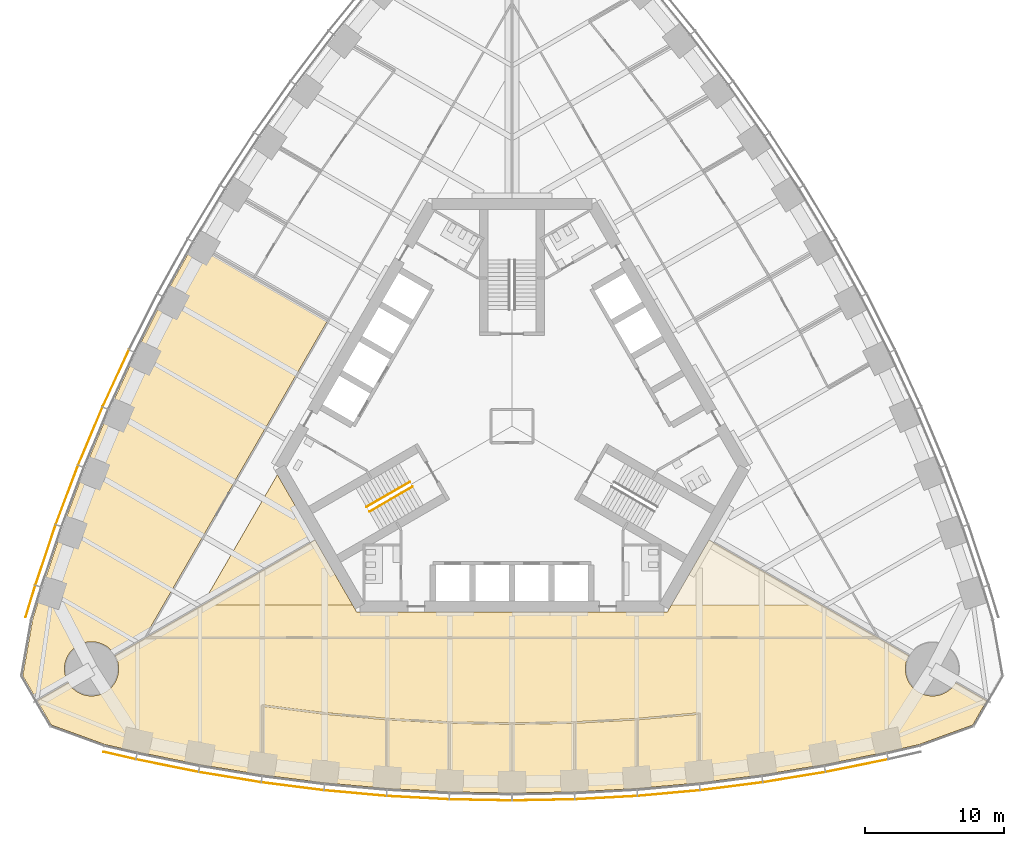
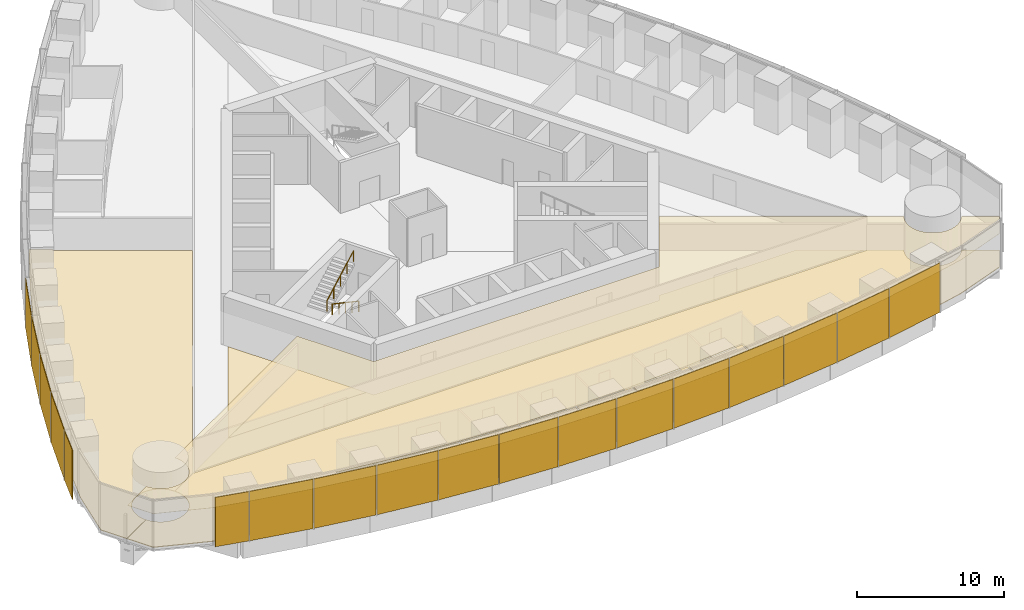
# One storey, part 15 of 19: 18 shading devices, 12 coverings, 2 railings.
"""IFC4 building model written with IfcOpenShell, lengths in metres."""

from ifc_helpers import new_model, si_unit, direction, frame, origin, origin_2d, place, context, subcontext, project, spatial, polyline, rectangle, circle, outline, extrude, material, layer, layer_set, type_object, element, save


model = new_model("IFC4")

# Units and contexts
model_context = context("Model", 3, precision=1e-05, world=origin(), true_north=direction((0.0, 1.0)))
body_context = subcontext(model_context, "Body", "Model", "MODEL_VIEW")
ifc_project = project(units=[si_unit("LENGTHUNIT", "METRE"), si_unit("AREAUNIT", "SQUARE_METRE"), si_unit("VOLUMEUNIT", "CUBIC_METRE"), si_unit("PLANEANGLEUNIT", "RADIAN"), si_unit("MASSUNIT", "GRAM", prefix="KILO")], contexts=[model_context])

# Site, building, storey
site_placement = place(None, origin())
site = spatial("IfcSite", under=ifc_project, at=site_placement, CompositionType="ELEMENT")
building_placement = place(site_placement, origin())
building = spatial("IfcBuilding", under=site, at=building_placement, Name="Trefoil Bronze Tower", CompositionType="ELEMENT")
storey_placement = place(building_placement, frame((0.0, 0.0, 166.10009765625)))
storey = spatial("IfcBuildingStorey", under=building, at=storey_placement, Name="L38", CompositionType="ELEMENT", Elevation=166.10009765625)

# Shading devices
ifc_material_1 = material(Name="Perforated bronze sheet", Category="bronze")
ifc_layer_1 = layer(ifc_material_1, 0.0400390625)
ifc_layer_set_1 = layer_set([ifc_layer_1], Name="Bronze solar screen panel")
shading_device_type = type_object("IfcShadingDeviceType", Name="Bronze solar screen panel", PredefinedType="SHUTTER", material=ifc_layer_set_1)
shading_device_1_placement = place(storey_placement, frame((-28.30078125, -23.748779296875, 0.0498046875), z_axis=(0.0, 0.0, 1.0), x_axis=(0.97420444715, -0.225667222151, 0.0)))
element("IfcShadingDevice", 1, at=shading_device_1_placement, inside=storey, type_object=shading_device_type, Name="Solar screen CW-A L38 F1 bay 1", PredefinedType="SHUTTER", context=body_context, shape_type="SweptSolid", body=[
    extrude(rectangle(XDim=2.39013671875, YDim=0.0400390625, at=origin_2d()), origin(), (0.0, 0.0, 1.0), 4.10009765625),
])
shading_device_2_placement = place(storey_placement, frame((-24.85693359375, -24.480224609375, 0.0498046875), z_axis=(0.0, 0.0, 1.0), x_axis=(0.980155155547, -0.198231861853, 0.0)))
element("IfcShadingDevice", 2, at=shading_device_2_placement, inside=storey, type_object=shading_device_type, Name="Solar screen CW-A L38 F1 bay 2", PredefinedType="SHUTTER", context=body_context, shape_type="SweptSolid", body=[
    extrude(rectangle(XDim=4.56103515625, YDim=0.0400390625, at=origin_2d()), origin(), (0.0, 0.0, 1.0), 4.10009765625),
])
shading_device_3_placement = place(storey_placement, frame((-20.337646484375, -25.30859375, 0.0498046875), z_axis=(0.0, 0.0, 1.0), x_axis=(0.986759655731, -0.162189339418, 0.0)))
element("IfcShadingDevice", 3, at=shading_device_3_placement, inside=storey, type_object=shading_device_type, Name="Solar screen CW-A L38 F1 bay 3", PredefinedType="SHUTTER", context=body_context, shape_type="SweptSolid", body=[
    extrude(rectangle(XDim=4.5302734375, YDim=0.0400390625, at=origin_2d()), origin(), (0.0, 0.0, 1.0), 4.10009765625),
])
shading_device_4_placement = place(storey_placement, frame((-15.818115234375, -25.96728515625, 0.0498046875), z_axis=(0.0, 0.0, 1.0), x_axis=(0.992011554286, -0.126147041833, 0.0)))
element("IfcShadingDevice", 4, at=shading_device_4_placement, inside=storey, type_object=shading_device_type, Name="Solar screen CW-A L38 F1 bay 4", PredefinedType="SHUTTER", context=body_context, shape_type="SweptSolid", body=[
    extrude(rectangle(XDim=4.50634765625, YDim=0.0400390625, at=origin_2d()), origin(), (0.0, 0.0, 1.0), 4.10009765625),
])
shading_device_5_placement = place(storey_placement, frame((-11.298583984375, -26.459228515625, 0.0498046875), z_axis=(0.0, 0.0, 1.0), x_axis=(0.995932279146, -0.090104913044, 0.0)))
element("IfcShadingDevice", 5, at=shading_device_5_placement, inside=storey, type_object=shading_device_type, Name="Solar screen CW-A L38 F1 bay 5", PredefinedType="SHUTTER", context=body_context, shape_type="SweptSolid", body=[
    extrude(rectangle(XDim=4.48828125, YDim=0.0400390625, at=origin_2d()), origin(), (0.0, 0.0, 1.0), 4.10009765625),
])
shading_device_6_placement = place(storey_placement, frame((-6.779296875, -26.785888671875, 0.0498046875), z_axis=(0.0, 0.0, 1.0), x_axis=(0.998537531923, -0.054062901701, 0.0)))
element("IfcShadingDevice", 6, at=shading_device_6_placement, inside=storey, type_object=shading_device_type, Name="Solar screen CW-A L38 F1 bay 6", PredefinedType="SHUTTER", context=body_context, shape_type="SweptSolid", body=[
    extrude(rectangle(XDim=4.4765625, YDim=0.0400390625, at=origin_2d()), origin(), (0.0, 0.0, 1.0), 4.10009765625),
])
for number, where, z_axis, x_axis, name in (
    (7, (-2.259765625, -26.948974609375, 0.0498046875), (0.0, 0.0, 1.0), (0.999837609322, -0.018020959612, 0.0), "Solar screen CW-A L38 F1 bay 7"),
    (8, (2.259765625, -26.948974609375, 0.0498046875), (0.0, 0.0, 1.0), (0.999837609322, 0.018020959612, 0.0), "Solar screen CW-A L38 F1 bay 8"),
):
    element("IfcShadingDevice", number, at=place(storey_placement, frame(where, z_axis=z_axis, x_axis=x_axis)), inside=storey, type_object=shading_device_type, Name=name, PredefinedType="SHUTTER", context=body_context, shape_type="SweptSolid", body=[
        extrude(rectangle(XDim=4.470703125, YDim=0.0400390625, at=origin_2d()), origin(), (0.0, 0.0, 1.0), 4.10009765625),
    ])
shading_device_7_placement = place(storey_placement, frame((6.779296875, -26.785888671875, 0.0498046875), z_axis=(0.0, 0.0, 1.0), x_axis=(0.998537531923, 0.054062901701, 0.0)))
element("IfcShadingDevice", 9, at=shading_device_7_placement, inside=storey, type_object=shading_device_type, Name="Solar screen CW-A L38 F1 bay 9", PredefinedType="SHUTTER", context=body_context, shape_type="SweptSolid", body=[
    extrude(rectangle(XDim=4.4765625, YDim=0.0400390625, at=origin_2d()), origin(), (0.0, 0.0, 1.0), 4.10009765625),
])
shading_device_8_placement = place(storey_placement, frame((11.298583984375, -26.459228515625, 0.0498046875), z_axis=(0.0, 0.0, 1.0), x_axis=(0.995932279146, 0.090104913044, 0.0)))
element("IfcShadingDevice", 10, at=shading_device_8_placement, inside=storey, type_object=shading_device_type, Name="Solar screen CW-A L38 F1 bay 10", PredefinedType="SHUTTER", context=body_context, shape_type="SweptSolid", body=[
    extrude(rectangle(XDim=4.48828125, YDim=0.0400390625, at=origin_2d()), origin(), (0.0, 0.0, 1.0), 4.10009765625),
])
shading_device_9_placement = place(storey_placement, frame((15.818115234375, -25.96728515625, 0.0498046875), z_axis=(0.0, 0.0, 1.0), x_axis=(0.992011554286, 0.126147041833, 0.0)))
element("IfcShadingDevice", 11, at=shading_device_9_placement, inside=storey, type_object=shading_device_type, Name="Solar screen CW-A L38 F1 bay 11", PredefinedType="SHUTTER", context=body_context, shape_type="SweptSolid", body=[
    extrude(rectangle(XDim=4.50634765625, YDim=0.0400390625, at=origin_2d()), origin(), (0.0, 0.0, 1.0), 4.10009765625),
])
shading_device_10_placement = place(storey_placement, frame((20.337646484375, -25.30859375, 0.0498046875), z_axis=(0.0, 0.0, 1.0), x_axis=(0.986759655731, 0.162189339418, 0.0)))
element("IfcShadingDevice", 12, at=shading_device_10_placement, inside=storey, type_object=shading_device_type, Name="Solar screen CW-A L38 F1 bay 12", PredefinedType="SHUTTER", context=body_context, shape_type="SweptSolid", body=[
    extrude(rectangle(XDim=4.5302734375, YDim=0.0400390625, at=origin_2d()), origin(), (0.0, 0.0, 1.0), 4.10009765625),
])
shading_device_11_placement = place(storey_placement, frame((24.85693359375, -24.480224609375, 0.0498046875), z_axis=(0.0, 0.0, 1.0), x_axis=(0.980155155547, 0.198231861853, 0.0)))
element("IfcShadingDevice", 13, at=shading_device_11_placement, inside=storey, type_object=shading_device_type, Name="Solar screen CW-A L38 F1 bay 13", PredefinedType="SHUTTER", context=body_context, shape_type="SweptSolid", body=[
    extrude(rectangle(XDim=4.56103515625, YDim=0.0400390625, at=origin_2d()), origin(), (0.0, 0.0, 1.0), 4.10009765625),
])
shading_device_12_placement = place(storey_placement, frame((-28.563720703125, 3.444580078125, 0.0498046875), z_axis=(0.0, 0.0, 1.0), x_axis=(-0.419932995871, -0.907555110712, 0.0)))
element("IfcShadingDevice", 14, at=shading_device_12_placement, inside=storey, type_object=shading_device_type, Name="Solar screen CW-A L38 F3 bay 10", PredefinedType="SHUTTER", context=body_context, shape_type="SweptSolid", body=[
    extrude(rectangle(XDim=4.48828125, YDim=0.0400390625, at=origin_2d()), origin(), (0.0, 0.0, 1.0), 4.10009765625),
])
shading_device_13_placement = place(storey_placement, frame((-30.3974609375, -0.715087890625, 0.0498046875), z_axis=(0.0, 0.0, 1.0), x_axis=(-0.386759234303, -0.922180727776, 0.0)))
element("IfcShadingDevice", 15, at=shading_device_13_placement, inside=storey, type_object=shading_device_type, Name="Solar screen CW-A L38 F3 bay 11", PredefinedType="SHUTTER", context=body_context, shape_type="SweptSolid", body=[
    extrude(rectangle(XDim=4.50634765625, YDim=0.0400390625, at=origin_2d()), origin(), (0.0, 0.0, 1.0), 4.10009765625),
])
shading_device_14_placement = place(storey_placement, frame((-32.086669921875, -4.95849609375, 0.0498046875), z_axis=(0.0, 0.0, 1.0), x_axis=(-0.352919739707, -0.935653599002, 0.0)))
element("IfcShadingDevice", 16, at=shading_device_14_placement, inside=storey, type_object=shading_device_type, Name="Solar screen CW-A L38 F3 bay 12", PredefinedType="SHUTTER", context=body_context, shape_type="SweptSolid", body=[
    extrude(rectangle(XDim=4.5302734375, YDim=0.0400390625, at=origin_2d()), origin(), (0.0, 0.0, 1.0), 4.10009765625),
])
shading_device_15_placement = place(storey_placement, frame((-33.62890625, -9.286865234375, 0.0498046875), z_axis=(0.0, 0.0, 1.0), x_axis=(-0.318403749569, -0.947955195281, 0.0)))
element("IfcShadingDevice", 17, at=shading_device_15_placement, inside=storey, type_object=shading_device_type, Name="Solar screen CW-A L38 F3 bay 13", PredefinedType="SHUTTER", context=body_context, shape_type="SweptSolid", body=[
    extrude(rectangle(XDim=4.56103515625, YDim=0.0400390625, at=origin_2d()), origin(), (0.0, 0.0, 1.0), 4.10009765625),
])
shading_device_16_placement = place(storey_placement, frame((-34.717529296875, -12.634765625, 0.0498046875), z_axis=(0.0, 0.0, 1.0), x_axis=(-0.291668676391, -0.956519410787, 0.0)))
element("IfcShadingDevice", 18, at=shading_device_16_placement, inside=storey, type_object=shading_device_type, Name="Solar screen CW-A L38 F3 bay 14", PredefinedType="SHUTTER", context=body_context, shape_type="SweptSolid", body=[
    extrude(rectangle(XDim=2.39013671875, YDim=0.0400390625, at=origin_2d()), origin(), (0.0, 0.0, 1.0), 4.10009765625),
])

# Railings
ifc_material_2 = material(Name="Steel handrail", Category="steel")
railing_type = type_object("IfcRailingType", Name="Handrail 900", PredefinedType="HANDRAIL", material=ifc_material_2)
railing_1_placement = place(storey_placement, frame((-7.166015625, -4.3681640625, 0.161376953125)))
element("IfcRailing", 19, at=railing_1_placement, inside=storey, type_object=railing_type, Name="Handrail ST3 flight 1 L38", PredefinedType="HANDRAIL", context=body_context, shape_type="SweptSolid", body=[
    extrude(circle(Radius=0.02392578125, at=origin_2d()), frame((0.0, 0.0, 0.8759765625), z_axis=(-0.76250339821, -0.440245697338, 0.474101564745), x_axis=(0.500012057535, -0.866018442252, 0.0)), (0.0, 0.0, 1.0), 4.088623046875),
    extrude(circle(Radius=0.02099609375, at=origin_2d()), origin(), (0.0, 0.0, 1.0), 0.851806640625),
    extrude(circle(Radius=0.02099609375, at=origin_2d()), frame((-0.779296875, -0.449951171875, 0.484619140625)), (0.0, 0.0, 1.0), 0.851806640625),
    extrude(circle(Radius=0.02099609375, at=origin_2d()), frame((-1.558837890625, -0.89990234375, 0.96923828125)), (0.0, 0.0, 1.0), 0.851806640625),
    extrude(circle(Radius=0.02099609375, at=origin_2d()), frame((-2.33837890625, -1.35009765625, 1.453857421875)), (0.0, 0.0, 1.0), 0.851806640625),
    extrude(circle(Radius=0.02099609375, at=origin_2d()), frame((-3.11767578125, -1.800048828125, 1.9384765625)), (0.0, 0.0, 1.0), 0.851806640625),
])
railing_2_placement = place(storey_placement, frame((-10.483642578125, -5.82177734375, 2.261474609375)))
element("IfcRailing", 20, at=railing_2_placement, inside=storey, type_object=railing_type, Name="Handrail ST3 flight 2 L38", PredefinedType="HANDRAIL", context=body_context, shape_type="SweptSolid", body=[
    extrude(circle(Radius=0.02392578125, at=origin_2d()), frame((0.0, 0.0, 0.8759765625), z_axis=(0.76250339821, 0.440245697338, 0.474101564745), x_axis=(-0.500012057535, 0.866018442252, 0.0)), (0.0, 0.0, 1.0), 4.088623046875),
    extrude(circle(Radius=0.02099609375, at=origin_2d()), origin(), (0.0, 0.0, 1.0), 0.851806640625),
    extrude(circle(Radius=0.02099609375, at=origin_2d()), frame((0.779296875, 0.449951171875, 0.484619140625)), (0.0, 0.0, 1.0), 0.851806640625),
    extrude(circle(Radius=0.02099609375, at=origin_2d()), frame((1.558837890625, 0.89990234375, 0.96923828125)), (0.0, 0.0, 1.0), 0.851806640625),
    extrude(circle(Radius=0.02099609375, at=origin_2d()), frame((2.33837890625, 1.35009765625, 1.453857421875)), (0.0, 0.0, 1.0), 0.851806640625),
    extrude(circle(Radius=0.02099609375, at=origin_2d()), frame((3.11767578125, 1.800048828125, 1.9384765625)), (0.0, 0.0, 1.0), 0.851806640625),
])

# Coverings
ifc_material_3 = material(Name="Acoustic ceiling panels", Category="mineral fibre")
ifc_layer_2 = layer(ifc_material_3, 0.02001953125)
ifc_layer_set_2 = layer_set([ifc_layer_2], Name="Office ceiling 20")
covering_type_1 = type_object("IfcCoveringType", Name="Office ceiling 20", PredefinedType="CEILING", material=ifc_layer_set_2)
covering_1_placement = place(storey_placement, frame((0.0, 0.0, 2.89990234375)))
element("IfcCovering", 21, at=covering_1_placement, inside=storey, type_object=covering_type_1, Name="Ceiling L38 Open-plan office F1", PredefinedType="CEILING", context=body_context, shape_type="SweptSolid", body=[
    extrude(outline(polyline([(-31.932373046875, -18.58349609375), (-31.877197265625, -18.66162109375), (-31.818359375, -18.737060546875), (-31.755615234375, -18.8095703125), (-31.689697265625, -18.87890625), (-31.620361328125, -18.94482421875), (-31.548095703125, -19.00732421875), (-31.472412109375, -19.06640625), (-31.394287109375, -19.121337890625), (-31.3134765625, -19.172607421875), (-31.22998046875, -19.2197265625), (-31.14453125, -19.2626953125), (-31.05712890625, -19.301513671875), (-30.9677734375, -19.3359375), (-30.876953125, -19.365966796875), (-30.78466796875, -19.3916015625), (-30.69140625, -19.41259765625), (-30.596923828125, -19.428955078125), (-30.501953125, -19.440673828125), (-30.406494140625, -19.44775390625), (-30.310791015625, -19.449951171875), (-30.215087890625, -19.44775390625), (-30.119873046875, -19.440673828125), (-30.02490234375, -19.428955078125), (-29.930419921875, -19.41259765625), (-29.837158203125, -19.3916015625), (-29.744873046875, -19.365966796875), (-29.654052734375, -19.3359375), (-29.564697265625, -19.301513671875), (-29.477294921875, -19.2626953125), (-29.3916015625, -19.2197265625), (-29.308349609375, -19.172607421875), (-29.2275390625, -19.121337890625), (-29.1494140625, -19.06640625), (-29.07373046875, -19.00732421875), (-29.001220703125, -18.94482421875), (-28.931884765625, -18.87890625), (-28.865966796875, -18.8095703125), (-28.803466796875, -18.737060546875), (-28.74462890625, -18.66162109375), (-28.689453125, -18.58349609375), (-28.63818359375, -18.50244140625), (-28.591064453125, -18.419189453125), (-28.548095703125, -18.333740234375), (-28.50927734375, -18.24609375), (-28.474853515625, -18.156982421875), (-28.44482421875, -18.066162109375), (-28.419189453125, -17.973876953125), (-28.3984375, -17.88037109375), (-28.382080078125, -17.7861328125), (-28.370361328125, -17.691162109375), (-28.36328125, -17.595703125), (-28.36083984375, -17.5), (-28.36328125, -17.404296875), (-28.370361328125, -17.308837890625), (-28.382080078125, -17.2138671875), (-28.3984375, -17.11962890625), (-28.419189453125, -17.026123046875), (-28.44482421875, -16.933837890625), (-28.474853515625, -16.843017578125), (-28.50927734375, -16.75390625), (-28.548095703125, -16.666259765625), (-28.591064453125, -16.580810546875), (-28.616455078125, -16.535888671875), (-14.19970703125, -8.205322265625), (-11.20068359375, -13.39990234375), (11.20068359375, -13.39990234375), (14.19970703125, -8.205322265625), (28.616455078125, -16.535888671875), (28.591064453125, -16.580810546875), (28.548095703125, -16.666259765625), (28.50927734375, -16.75390625), (28.474853515625, -16.843017578125), (28.44482421875, -16.933837890625), (28.419189453125, -17.026123046875), (28.3984375, -17.11962890625), (28.382080078125, -17.2138671875), (28.370361328125, -17.308837890625), (28.36328125, -17.404296875), (28.36083984375, -17.5), (28.36328125, -17.595703125), (28.370361328125, -17.691162109375), (28.382080078125, -17.7861328125), (28.3984375, -17.88037109375), (28.419189453125, -17.973876953125), (28.44482421875, -18.066162109375), (28.474853515625, -18.156982421875), (28.50927734375, -18.24609375), (28.548095703125, -18.333740234375), (28.591064453125, -18.419189453125), (28.63818359375, -18.50244140625), (28.689453125, -18.58349609375), (28.74462890625, -18.66162109375), (28.803466796875, -18.737060546875), (28.865966796875, -18.8095703125), (28.931884765625, -18.87890625), (29.001220703125, -18.94482421875), (29.07373046875, -19.00732421875), (29.1494140625, -19.06640625), (29.2275390625, -19.121337890625), (29.308349609375, -19.172607421875), (29.3916015625, -19.2197265625), (29.477294921875, -19.2626953125), (29.564697265625, -19.301513671875), (29.654052734375, -19.3359375), (29.744873046875, -19.365966796875), (29.837158203125, -19.3916015625), (29.930419921875, -19.41259765625), (30.02490234375, -19.428955078125), (30.119873046875, -19.440673828125), (30.215087890625, -19.44775390625), (30.310791015625, -19.449951171875), (30.406494140625, -19.44775390625), (30.501953125, -19.440673828125), (30.596923828125, -19.428955078125), (30.69140625, -19.41259765625), (30.78466796875, -19.3916015625), (30.876953125, -19.365966796875), (30.9677734375, -19.3359375), (31.05712890625, -19.301513671875), (31.14453125, -19.2626953125), (31.22998046875, -19.2197265625), (31.3134765625, -19.172607421875), (31.394287109375, -19.121337890625), (31.472412109375, -19.06640625), (31.548095703125, -19.00732421875), (31.620361328125, -18.94482421875), (31.689697265625, -18.87890625), (31.755615234375, -18.8095703125), (31.818359375, -18.737060546875), (31.877197265625, -18.66162109375), (31.932373046875, -18.58349609375), (31.992431640625, -18.48681640625), (34.233154296875, -19.781494140625), (33.21435546875, -21.5458984375), (29.357666015625, -22.94970703125), (27.0, -23.495849609375), (22.5, -24.406005859375), (18.0, -25.1455078125), (13.5, -25.7177734375), (9.0, -26.125), (4.5, -26.36865234375), (0.0, -26.44970703125), (-4.5, -26.36865234375), (-9.0, -26.125), (-13.5, -25.7177734375), (-18.0, -25.1455078125), (-22.5, -24.406005859375), (-27.0, -23.495849609375), (-29.357666015625, -22.94970703125), (-33.21435546875, -21.5458984375), (-34.233154296875, -19.781494140625), (-31.992431640625, -18.48681640625), (-31.932373046875, -18.58349609375)])), origin(), (0.0, 0.0, 1.0), 0.02001953125),
])
ifc_material_4 = material(Name="Raised access floor panels", Category="steel")
ifc_layer_3 = layer(ifc_material_4, 0.050048828125)
ifc_layer_set_3 = layer_set([ifc_layer_3], Name="Raised access floor 150")
covering_type_2 = type_object("IfcCoveringType", Name="Raised access floor 150", PredefinedType="FLOORING", material=ifc_layer_set_3)
covering_2_placement = place(storey_placement, frame((0.0, 0.0, 0.099853515625)))
element("IfcCovering", 22, at=covering_2_placement, inside=storey, type_object=covering_type_2, Name="Raised floor L38 Kitchen and breakout F1", PredefinedType="FLOORING", context=body_context, shape_type="SweptSolid", body=[
    extrude(outline(polyline([(-13.5, -25.7177734375), (-18.0, -25.1455078125), (-18.0, -23.49853515625), (-17.93994140625, -23.49853515625), (-17.93994140625, -20.213623046875), (-13.507568359375, -20.77734375), (-13.5, -20.7177734375), (-13.50537109375, -20.777587890625), (-9.06005859375, -21.1796875), (-9.06005859375, -24.49072265625), (-9.0, -24.49072265625), (-9.0, -26.125), (-13.5, -25.7177734375)])), origin(), (0.0, 0.0, 1.0), 0.050048828125),
])
covering_3_placement = place(storey_placement, frame((0.0, 0.0, 0.099853515625)))
element("IfcCovering", 23, at=covering_3_placement, inside=storey, type_object=covering_type_2, Name="Raised floor L38 Office F1", PredefinedType="FLOORING", context=body_context, shape_type="SweptSolid", body=[
    extrude(outline(polyline([(-4.5, -26.36865234375), (-9.0, -26.125), (-9.0, -24.49072265625), (-8.93994140625, -24.49072265625), (-8.93994140625, -21.188232421875), (-4.56005859375, -21.42529296875), (-4.56005859375, -24.737548828125), (-4.5, -24.737548828125), (-4.5, -26.36865234375)])), origin(), (0.0, 0.0, 1.0), 0.050048828125),
])
covering_4_placement = place(storey_placement, frame((0.0, 0.0, 0.099853515625)))
element("IfcCovering", 24, at=covering_4_placement, inside=storey, type_object=covering_type_2, Name="Raised floor L38 Office F1", PredefinedType="FLOORING", context=body_context, shape_type="SweptSolid", body=[
    extrude(outline(polyline([(0.0, -26.44970703125), (-4.5, -26.36865234375), (-4.5, -24.737548828125), (-4.43994140625, -24.737548828125), (-4.43994140625, -21.4296875), (-0.06005859375, -21.508544921875), (-0.06005859375, -24.819580078125), (0.0, -24.819580078125), (0.0, -26.44970703125)])), origin(), (0.0, 0.0, 1.0), 0.050048828125),
])
covering_5_placement = place(storey_placement, frame((0.0, 0.0, 0.099853515625)))
element("IfcCovering", 25, at=covering_5_placement, inside=storey, type_object=covering_type_2, Name="Raised floor L38 Office F1", PredefinedType="FLOORING", context=body_context, shape_type="SweptSolid", body=[
    extrude(outline(polyline([(4.5, -26.36865234375), (0.0, -26.44970703125), (0.0, -24.819580078125), (0.06005859375, -24.819580078125), (0.06005859375, -21.508544921875), (4.43994140625, -21.4296875), (4.43994140625, -24.737548828125), (4.5, -24.737548828125), (4.5, -26.36865234375)])), origin(), (0.0, 0.0, 1.0), 0.050048828125),
])
covering_6_placement = place(storey_placement, frame((0.0, 0.0, 0.099853515625)))
element("IfcCovering", 26, at=covering_6_placement, inside=storey, type_object=covering_type_2, Name="Raised floor L38 Meeting room F1", PredefinedType="FLOORING", context=body_context, shape_type="SweptSolid", body=[
    extrude(outline(polyline([(9.0, -26.125), (4.5, -26.36865234375), (4.5, -24.737548828125), (4.56005859375, -24.737548828125), (4.56005859375, -21.42529296875), (8.93994140625, -21.188232421875), (8.93994140625, -24.49072265625), (9.0, -24.49072265625), (9.0, -26.125)])), origin(), (0.0, 0.0, 1.0), 0.050048828125),
])
covering_7_placement = place(storey_placement, frame((0.0, 0.0, 0.099853515625)))
element("IfcCovering", 27, at=covering_7_placement, inside=storey, type_object=covering_type_2, Name="Raised floor L38 Meeting room F1", PredefinedType="FLOORING", context=body_context, shape_type="SweptSolid", body=[
    extrude(outline(polyline([(13.5, -25.7177734375), (9.0, -26.125), (9.0, -24.49072265625), (9.06005859375, -24.49072265625), (9.06005859375, -21.1796875), (13.43994140625, -20.783447265625), (13.43994140625, -24.078125), (13.5, -24.078125), (13.5, -25.7177734375)])), origin(), (0.0, 0.0, 1.0), 0.050048828125),
])
covering_8_placement = place(storey_placement, frame((0.0, 0.0, 0.099853515625)))
element("IfcCovering", 28, at=covering_8_placement, inside=storey, type_object=covering_type_2, Name="Raised floor L38 Corridor F1", PredefinedType="FLOORING", context=body_context, shape_type="SweptSolid", body=[
    extrude(outline(polyline([(-26.304443359375, -15.199951171875), (-22.32421875, -12.89990234375), (-11.4892578125, -12.89990234375), (-11.20068359375, -13.39990234375), (11.20068359375, -13.39990234375), (11.4892578125, -12.89990234375), (22.32421875, -12.89990234375), (26.304443359375, -15.199951171875), (-26.304443359375, -15.199951171875)])), origin(), (0.0, 0.0, 1.0), 0.050048828125),
])
covering_9_placement = place(storey_placement, frame((0.0, 0.0, 0.099853515625)))
element("IfcCovering", 29, at=covering_9_placement, inside=storey, type_object=covering_type_2, Name="Raised floor L38 Open-plan office F1", PredefinedType="FLOORING", context=body_context, shape_type="SweptSolid", body=[
    extrude(outline(polyline([(-28.616455078125, -16.535888671875), (-26.398193359375, -15.254150390625), (-26.398193359375, -15.320068359375), (26.398193359375, -15.320068359375), (26.398193359375, -15.254150390625), (28.616455078125, -16.535888671875), (28.591064453125, -16.580810546875), (28.548095703125, -16.666259765625), (28.50927734375, -16.75390625), (28.474853515625, -16.843017578125), (28.44482421875, -16.933837890625), (28.419189453125, -17.026123046875), (28.3984375, -17.11962890625), (28.382080078125, -17.2138671875), (28.370361328125, -17.308837890625), (28.36328125, -17.404296875), (28.36083984375, -17.5), (28.36328125, -17.595703125), (28.370361328125, -17.691162109375), (28.382080078125, -17.7861328125), (28.3984375, -17.88037109375), (28.419189453125, -17.973876953125), (28.44482421875, -18.066162109375), (28.474853515625, -18.156982421875), (28.50927734375, -18.24609375), (28.548095703125, -18.333740234375), (28.591064453125, -18.419189453125), (28.63818359375, -18.50244140625), (28.689453125, -18.58349609375), (28.74462890625, -18.66162109375), (28.803466796875, -18.737060546875), (28.865966796875, -18.8095703125), (28.931884765625, -18.87890625), (29.001220703125, -18.94482421875), (29.07373046875, -19.00732421875), (29.1494140625, -19.06640625), (29.2275390625, -19.121337890625), (29.308349609375, -19.172607421875), (29.3916015625, -19.2197265625), (29.477294921875, -19.2626953125), (29.564697265625, -19.301513671875), (29.654052734375, -19.3359375), (29.744873046875, -19.365966796875), (29.837158203125, -19.3916015625), (29.930419921875, -19.41259765625), (30.02490234375, -19.428955078125), (30.119873046875, -19.440673828125), (30.215087890625, -19.44775390625), (30.310791015625, -19.449951171875), (30.406494140625, -19.44775390625), (30.501953125, -19.440673828125), (30.596923828125, -19.428955078125), (30.69140625, -19.41259765625), (30.78466796875, -19.3916015625), (30.876953125, -19.365966796875), (30.9677734375, -19.3359375), (31.05712890625, -19.301513671875), (31.14453125, -19.2626953125), (31.22998046875, -19.2197265625), (31.3134765625, -19.172607421875), (31.394287109375, -19.121337890625), (31.472412109375, -19.06640625), (31.548095703125, -19.00732421875), (31.620361328125, -18.94482421875), (31.689697265625, -18.87890625), (31.755615234375, -18.8095703125), (31.818359375, -18.737060546875), (31.877197265625, -18.66162109375), (31.932373046875, -18.58349609375), (31.992431640625, -18.48681640625), (34.233154296875, -19.781494140625), (33.21435546875, -21.5458984375), (29.357666015625, -22.94970703125), (27.0, -23.495849609375), (22.5, -24.406005859375), (18.0, -25.1455078125), (13.5, -25.7177734375), (13.5, -24.078125), (13.56005859375, -24.078125), (13.56005859375, -20.7177734375), (13.5, -20.7177734375), (13.49462890625, -20.657958984375), (8.99560546875, -21.065185546875), (4.497802734375, -21.30859375), (0.0, -21.3896484375), (-4.497802734375, -21.30859375), (-8.99560546875, -21.065185546875), (-12.283935546875, -20.767578125), (-14.702880859375, -20.50439453125), (-17.992431640625, -20.0859375), (-18.0, -20.1455078125), (-18.06005859375, -20.1455078125), (-18.06005859375, -23.49853515625), (-18.0, -23.49853515625), (-18.0, -25.1455078125), (-22.5, -24.406005859375), (-27.0, -23.495849609375), (-29.357666015625, -22.94970703125), (-33.21435546875, -21.5458984375), (-34.233154296875, -19.781494140625), (-31.992431640625, -18.48681640625), (-31.932373046875, -18.58349609375), (-31.877197265625, -18.66162109375), (-31.818359375, -18.737060546875), (-31.755615234375, -18.8095703125), (-31.689697265625, -18.87890625), (-31.620361328125, -18.94482421875), (-31.548095703125, -19.00732421875), (-31.472412109375, -19.06640625), (-31.394287109375, -19.121337890625), (-31.3134765625, -19.172607421875), (-31.22998046875, -19.2197265625), (-31.14453125, -19.2626953125), (-31.05712890625, -19.301513671875), (-30.9677734375, -19.3359375), (-30.876953125, -19.365966796875), (-30.78466796875, -19.3916015625), (-30.69140625, -19.41259765625), (-30.596923828125, -19.428955078125), (-30.501953125, -19.440673828125), (-30.406494140625, -19.44775390625), (-30.310791015625, -19.449951171875), (-30.215087890625, -19.44775390625), (-30.119873046875, -19.440673828125), (-30.02490234375, -19.428955078125), (-29.930419921875, -19.41259765625), (-29.837158203125, -19.3916015625), (-29.744873046875, -19.365966796875), (-29.654052734375, -19.3359375), (-29.564697265625, -19.301513671875), (-29.477294921875, -19.2626953125), (-29.3916015625, -19.2197265625), (-29.308349609375, -19.172607421875), (-29.2275390625, -19.121337890625), (-29.1494140625, -19.06640625), (-29.07373046875, -19.00732421875), (-29.001220703125, -18.94482421875), (-28.931884765625, -18.87890625), (-28.865966796875, -18.8095703125), (-28.803466796875, -18.737060546875), (-28.74462890625, -18.66162109375), (-28.689453125, -18.58349609375), (-28.63818359375, -18.50244140625), (-28.591064453125, -18.419189453125), (-28.548095703125, -18.333740234375), (-28.50927734375, -18.24609375), (-28.474853515625, -18.156982421875), (-28.44482421875, -18.066162109375), (-28.419189453125, -17.973876953125), (-28.3984375, -17.88037109375), (-28.382080078125, -17.7861328125), (-28.370361328125, -17.691162109375), (-28.36328125, -17.595703125), (-28.36083984375, -17.5), (-28.36328125, -17.404296875), (-28.370361328125, -17.308837890625), (-28.382080078125, -17.2138671875), (-28.3984375, -17.11962890625), (-28.419189453125, -17.026123046875), (-28.44482421875, -16.933837890625), (-28.474853515625, -16.843017578125), (-28.50927734375, -16.75390625), (-28.548095703125, -16.666259765625), (-28.591064453125, -16.580810546875), (-28.616455078125, -16.535888671875)])), origin(), (0.0, 0.0, 1.0), 0.050048828125),
])
covering_10_placement = place(storey_placement, frame((0.0, 0.0, 0.099853515625)))
element("IfcCovering", 30, at=covering_10_placement, inside=storey, type_object=covering_type_2, Name="Raised floor L38 Open-plan office F1", PredefinedType="FLOORING", context=body_context, shape_type="SweptSolid", body=[
    extrude(outline(polyline([(-22.32421875, -12.89990234375), (-14.19970703125, -8.205322265625), (-11.4892578125, -12.89990234375), (-22.32421875, -12.89990234375)])), origin(), (0.0, 0.0, 1.0), 0.050048828125),
])
covering_11_placement = place(storey_placement, frame((0.0, 0.0, 0.099853515625)))
element("IfcCovering", 31, at=covering_11_placement, inside=storey, type_object=covering_type_2, Name="Raised floor L38 Open-plan office F3", PredefinedType="FLOORING", context=body_context, shape_type="SweptSolid", body=[
    extrude(outline(polyline([(-30.776611328125, -3.015625), (-29.022216796875, 1.16748046875), (-27.124755859375, 5.268310546875), (-25.085693359375, 9.287109375), (-22.906494140625, 13.22412109375), (-21.4951171875, 12.408935546875), (-21.531982421875, 12.344970703125), (-13.304931640625, 7.594970703125), (-26.466552734375, -15.201416015625), (-26.40966796875, -15.234375), (-28.628662109375, -16.514404296875), (-28.689453125, -16.41650390625), (-28.74462890625, -16.33837890625), (-28.803466796875, -16.262939453125), (-28.865966796875, -16.1904296875), (-28.931884765625, -16.12109375), (-29.001220703125, -16.05517578125), (-29.07373046875, -15.99267578125), (-29.1494140625, -15.93359375), (-29.2275390625, -15.878662109375), (-29.308349609375, -15.827392578125), (-29.3916015625, -15.7802734375), (-29.477294921875, -15.7373046875), (-29.564697265625, -15.698486328125), (-29.654052734375, -15.6640625), (-29.744873046875, -15.634033203125), (-29.837158203125, -15.6083984375), (-29.930419921875, -15.58740234375), (-30.02490234375, -15.571044921875), (-30.119873046875, -15.559326171875), (-30.215087890625, -15.55224609375), (-30.310791015625, -15.550048828125), (-30.406494140625, -15.55224609375), (-30.501953125, -15.559326171875), (-30.596923828125, -15.571044921875), (-30.69140625, -15.58740234375), (-30.78466796875, -15.6083984375), (-30.876953125, -15.634033203125), (-30.9677734375, -15.6640625), (-31.05712890625, -15.698486328125), (-31.14453125, -15.7373046875), (-31.22998046875, -15.7802734375), (-31.3134765625, -15.827392578125), (-31.394287109375, -15.878662109375), (-31.472412109375, -15.93359375), (-31.548095703125, -15.99267578125), (-31.620361328125, -16.05517578125), (-31.689697265625, -16.12109375), (-31.755615234375, -16.1904296875), (-31.818359375, -16.262939453125), (-31.877197265625, -16.33837890625), (-31.932373046875, -16.41650390625), (-31.9833984375, -16.49755859375), (-32.030517578125, -16.580810546875), (-32.07373046875, -16.666259765625), (-32.112548828125, -16.75390625), (-32.14697265625, -16.843017578125), (-32.177001953125, -16.933837890625), (-32.202392578125, -17.026123046875), (-32.223388671875, -17.11962890625), (-32.23974609375, -17.2138671875), (-32.25146484375, -17.308837890625), (-32.258544921875, -17.404296875), (-32.260986328125, -17.5), (-32.258544921875, -17.595703125), (-32.25146484375, -17.691162109375), (-32.23974609375, -17.7861328125), (-32.223388671875, -17.88037109375), (-32.202392578125, -17.973876953125), (-32.177001953125, -18.066162109375), (-32.14697265625, -18.156982421875), (-32.112548828125, -18.24609375), (-32.07373046875, -18.333740234375), (-32.030517578125, -18.419189453125), (-32.006103515625, -18.462646484375), (-34.247802734375, -19.755859375), (-35.2666015625, -17.99169921875), (-34.5537109375, -13.94970703125), (-33.847900390625, -11.634765625), (-32.385986328125, -7.28271484375), (-30.776611328125, -3.015625)])), origin(), (0.0, 0.0, 1.0), 0.050048828125),
])
covering_12_placement = place(storey_placement, frame((0.0, 0.0, 0.099853515625)))
element("IfcCovering", 32, at=covering_12_placement, inside=storey, type_object=covering_type_2, Name="Raised floor L38 Open-plan office F3", PredefinedType="FLOORING", context=body_context, shape_type="SweptSolid", body=[
    extrude(outline(polyline([(-14.205810546875, -8.194580078125), (-22.333740234375, -12.88330078125), (-16.91650390625, -3.5), (-14.205810546875, -8.194580078125)])), origin(), (0.0, 0.0, 1.0), 0.050048828125),
])

save(model, "model.ifc")
